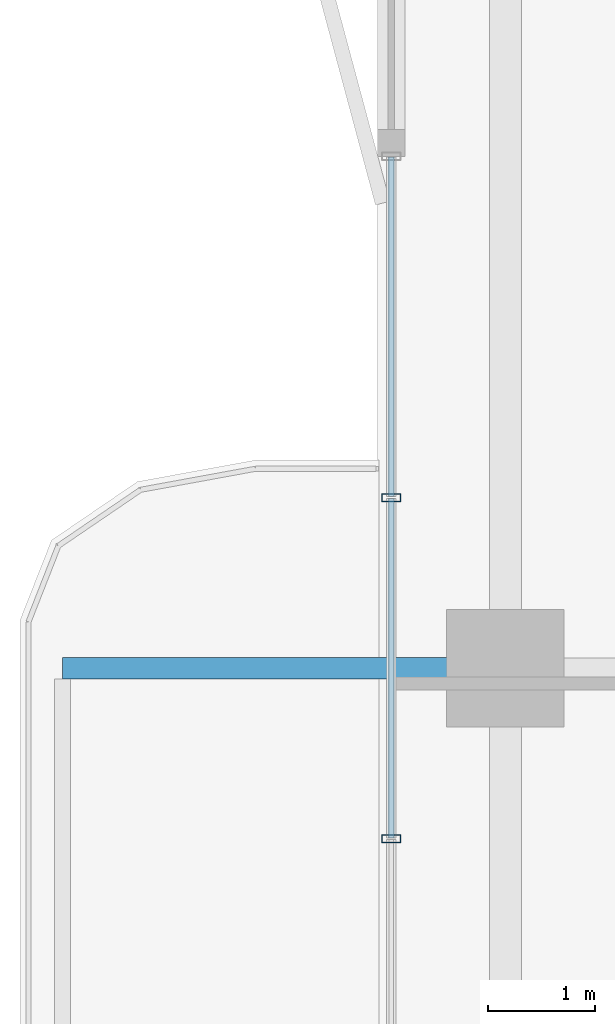
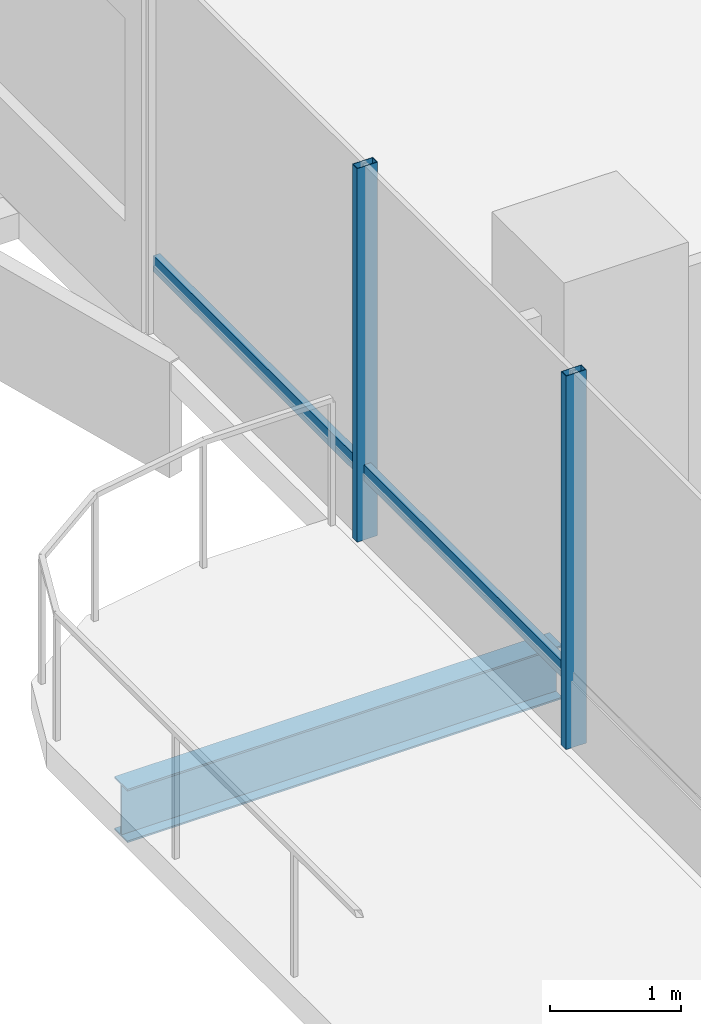
# One storey, part 6 of 24: 4 members, 1 beam, 1 element without a shape of its own.
"""IFC4 building model written with IfcOpenShell, lengths in metres."""

from ifc_helpers import new_model, si_unit, direction, frame, origin, origin_2d, place, context, subcontext, project, spatial, hollow_rectangle, i_section, extrude, material, layer, layer_set, material_profile, profile_set, type_object, element, aggregate, save


model = new_model("IFC4")

# Units and contexts
model_context = context("Model", 3, precision=1e-05, world=origin(), true_north=direction((0.0, 1.0)))
body_context = subcontext(model_context, "Body", "Model", "MODEL_VIEW")
ifc_project = project(units=[si_unit("LENGTHUNIT", "METRE"), si_unit("AREAUNIT", "SQUARE_METRE"), si_unit("VOLUMEUNIT", "CUBIC_METRE"), si_unit("PLANEANGLEUNIT", "RADIAN"), si_unit("MASSUNIT", "GRAM", prefix="KILO")], contexts=[model_context])

# Site, building, storey
site_placement = place(None, origin())
site = spatial("IfcSite", under=ifc_project, at=site_placement, CompositionType="ELEMENT")
building_placement = place(site_placement, origin())
building = spatial("IfcBuilding", under=site, at=building_placement, Name="Belovzor Exchange Tower", CompositionType="ELEMENT")
storey_placement = place(building_placement, frame((0.0, 0.0, 179.550048828125)))
storey = spatial("IfcBuildingStorey", under=building, at=storey_placement, Name="L44", CompositionType="ELEMENT", Elevation=179.550048828125)

# Beam
ifc_material_1 = material(Name="Steel S355", Category="steel")
ifc_material_profile_1 = material_profile(ifc_material_1, i_section(OverallWidth=0.199951171875, OverallDepth=0.5, WebThickness=0.01025390625, FlangeThickness=0.01611328125, at=origin_2d()))
ifc_profile_set_1 = profile_set([ifc_material_profile_1], Name="Steel S355")
beam_type = type_object("IfcBeamType", Name="Planted Balcony Cantilever Beam IPE 500", PredefinedType="BEAM", material=ifc_profile_set_1)
beam_placement = place(storey_placement, frame((5.39697265625, 28.800048828125, -0.505126953125), z_axis=(-1.0, 0.0, 0.0), x_axis=(0.0, -1.0, 0.0)))
element("IfcBeam", 1, at=beam_placement, inside=storey, type_object=beam_type, Name="BC-500 Planted Balcony Cantilever Beam IPE 500", PredefinedType="BEAM", context=body_context, shape_type="SweptSolid", body=[
    extrude(i_section(OverallWidth=0.199951171875, OverallDepth=0.5, WebThickness=0.01025390625, FlangeThickness=0.01611328125, at=origin_2d()), origin(), (0.0, 0.0, 1.0), 3.849853515625),
])

# Curtain wall, members
ifc_material_2 = material(Name="Anodised Aluminium Framing", Category="aluminium")
ifc_layer = layer(ifc_material_2, 0.179931640625)
ifc_layer_set = layer_set([ifc_layer], Name="Anodised Aluminium Framing")
curtain_wall_type = type_object("IfcCurtainWallType", Name="Recessed Loggia Low-Iron Triple-Glazed Curtain Wall", PredefinedType="NOTDEFINED", material=ifc_layer_set)
curtain_wall_placement = place(storey_placement, origin())
curtain_wall = element("IfcCurtainWall", 2, at=curtain_wall_placement, inside=storey, type_object=curtain_wall_type, Name="CW3 Recessed Loggia Low-Iron Triple-Glazed Curtain Wall L44", PredefinedType="NOTDEFINED")
ifc_material_3 = material(Name="Steel S355", Category="steel")
ifc_material_profile_2 = material_profile(ifc_material_3, hollow_rectangle(XDim=0.074951171875, YDim=0.179931640625, WallThickness=0.0048828125, at=origin_2d()))
ifc_profile_set_2 = profile_set([ifc_material_profile_2], Name="Steel S355")
member_type_1 = type_object("IfcMemberType", Name="Thermally Broken Curtain Wall Mullion 180x75", PredefinedType="MULLION", material=ifc_profile_set_2)
member_1_placement = place(storey_placement, frame((4.6298828125, 27.199951171875, 0.0), z_axis=(0.0, 0.0, 1.0), x_axis=(0.0, 1.0, 0.0)))
member_1 = element("IfcMember", 3, at=member_1_placement, type_object=member_type_1, Name="CW-M180 Curtain Wall Mullion 2", PredefinedType="MULLION", context=body_context, shape_type="SweptSolid", body=[
    extrude(hollow_rectangle(XDim=0.074951171875, YDim=0.179931640625, WallThickness=0.0048828125, at=origin_2d()), origin(), (0.0, 0.0, 1.0), 3.494873046875),
])
member_2_placement = place(storey_placement, frame((4.6298828125, 30.39990234375, 0.0), z_axis=(0.0, 0.0, 1.0), x_axis=(0.0, 1.0, 0.0)))
member_2 = element("IfcMember", 4, at=member_2_placement, type_object=member_type_1, Name="CW-M180 Curtain Wall Mullion 3", PredefinedType="MULLION", context=body_context, shape_type="SweptSolid", body=[
    extrude(hollow_rectangle(XDim=0.074951171875, YDim=0.179931640625, WallThickness=0.0048828125, at=origin_2d()), origin(), (0.0, 0.0, 1.0), 3.494873046875),
])
ifc_material_4 = material(Name="Steel S355", Category="steel")
ifc_material_profile_3 = material_profile(ifc_material_4, hollow_rectangle(XDim=0.06005859375, YDim=0.14990234375, WallThickness=0.00390625, at=origin_2d()))
ifc_profile_set_3 = profile_set([ifc_material_profile_3], Name="Steel S355")
member_type_2 = type_object("IfcMemberType", Name="Thermally Broken Curtain Wall Transom 150x60", PredefinedType="USERDEFINED", material=ifc_profile_set_3)
member_3_placement = place(storey_placement, frame((4.6298828125, 27.2080078125, 0.62890625), z_axis=(0.0, 1.0, 0.0), x_axis=(-1.0, 0.0, 0.0)))
member_3 = element("IfcMember", 5, at=member_3_placement, type_object=member_type_2, Name="CW-T150 Curtain Wall Transom 2", ObjectType="TRANSOM", PredefinedType="USERDEFINED", context=body_context, shape_type="SweptSolid", body=[
    extrude(hollow_rectangle(XDim=0.06005859375, YDim=0.14990234375, WallThickness=0.00390625, at=origin_2d()), origin(), (0.0, 0.0, 1.0), 3.18408203125),
])
member_4_placement = place(storey_placement, frame((4.6298828125, 30.407958984375, 0.62890625), z_axis=(0.0, 1.0, 0.0), x_axis=(-1.0, 0.0, 0.0)))
member_4 = element("IfcMember", 6, at=member_4_placement, type_object=member_type_2, Name="CW-T150 Curtain Wall Transom 3", ObjectType="TRANSOM", PredefinedType="USERDEFINED", context=body_context, shape_type="SweptSolid", body=[
    extrude(hollow_rectangle(XDim=0.06005859375, YDim=0.14990234375, WallThickness=0.00390625, at=origin_2d()), origin(), (0.0, 0.0, 1.0), 3.18408203125),
])
aggregate(curtain_wall, [member_1, member_2, member_3, member_4])

save(model, "model.ifc")
